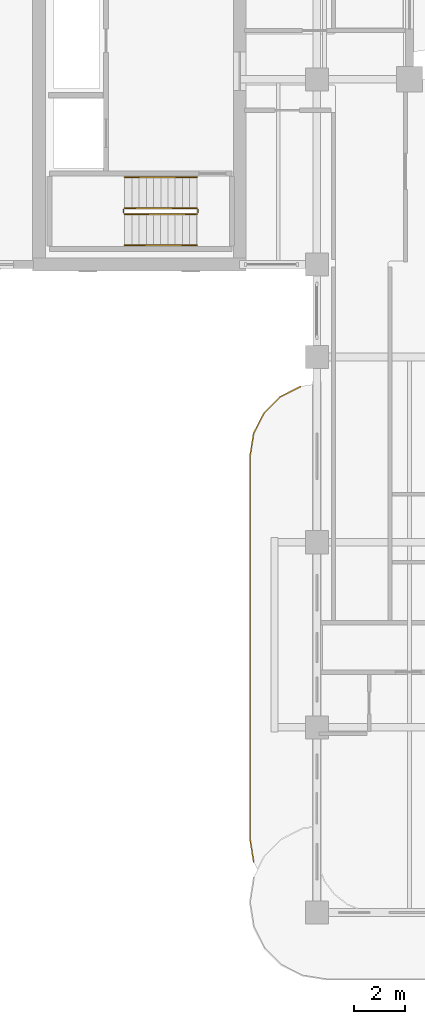
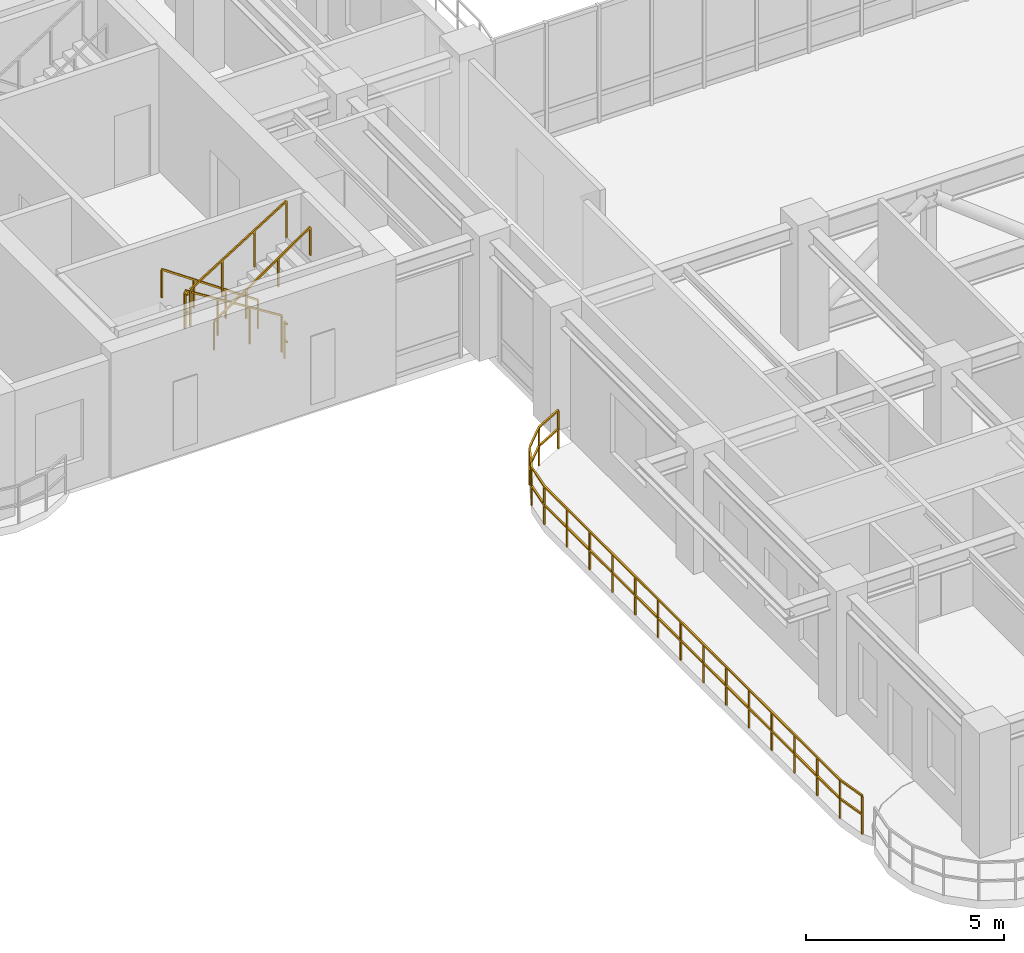
# One storey, part 15 of 19: 7 railings.
"""IFC4 building model written with IfcOpenShell, lengths in metres."""

from ifc_helpers import new_model, si_unit, derived_unit, direction, frame, origin, origin_2d, place, context, subcontext, project, spatial, rectangle, extrude, material, type_object, element, save


model = new_model("IFC4")

# Units and contexts
model_context = context("Model", 3, precision=1e-05, world=origin(), true_north=direction((0.0, 1.0)))
body_context = subcontext(model_context, "Body", "Model", "MODEL_VIEW")
ifc_project = project(units=[si_unit("LENGTHUNIT", "METRE"), si_unit("AREAUNIT", "SQUARE_METRE"), si_unit("VOLUMEUNIT", "CUBIC_METRE"), si_unit("PLANEANGLEUNIT", "RADIAN"), si_unit("MASSUNIT", "GRAM", prefix="KILO"), si_unit("THERMODYNAMICTEMPERATUREUNIT", "KELVIN"), si_unit("POWERUNIT", "WATT"), derived_unit("THERMALTRANSMITTANCEUNIT", [(si_unit("POWERUNIT", "WATT"), 1), (si_unit("AREAUNIT", "SQUARE_METRE"), -1), (si_unit("THERMODYNAMICTEMPERATUREUNIT", "KELVIN"), -1)])], contexts=[model_context])

# Site, building, storey
site_placement = place(None, origin())
site = spatial("IfcSite", under=ifc_project, at=site_placement, CompositionType="ELEMENT")
building_placement = place(site_placement, origin())
building = spatial("IfcBuilding", under=site, at=building_placement, Name="Zahravan Archway Hotel and Residences", CompositionType="ELEMENT")
storey_placement = place(building_placement, frame((0.0, 0.0, 201.89990234375)))
storey = spatial("IfcBuildingStorey", under=building, at=storey_placement, Name="L50", CompositionType="ELEMENT", Elevation=201.89990234375)

# Railings
ifc_material_1 = material(Name="Bronze & Laminated Glass Balustrade", Category="glass")
railing_type_1 = type_object("IfcRailingType", Name="RL-BAL-1200", PredefinedType="BALUSTRADE", material=ifc_material_1)
railing_1_placement = place(storey_placement, frame((11.939453125, 1.96923828125, 0.0)))
element("IfcRailing", 1, at=railing_1_placement, inside=storey, type_object=railing_type_1, Name="L50 Balustrade RL-SLB-BAL-L50-WA-1", PredefinedType="BALUSTRADE", context=body_context, shape_type="SweptSolid", body=[
    extrude(rectangle(XDim=0.048095703125, YDim=0.048095703125, at=origin_2d()), frame((0.0, 0.0, 1.17578125), z_axis=(-0.156314005608, 0.987707411965, 0.0), x_axis=(-0.987707411965, -0.156314005608, 0.0)), (0.0, 0.0, 1.0), 0.891845703125),
    extrude(rectangle(XDim=0.048095703125, YDim=0.048095703125, at=origin_2d()), frame((0.0, 0.0, 0.60009765625), z_axis=(-0.156314005608, 0.987707411965, 0.0), x_axis=(-0.987707411965, -0.156314005608, 0.0)), (0.0, 0.0, 1.0), 0.891845703125),
    extrude(rectangle(XDim=0.048095703125, YDim=0.048095703125, at=origin_2d()), frame((-0.139404296875, 0.880859375, 1.17578125), z_axis=(0.0, 1.0, 0.0), x_axis=(-1.0, 0.0, 0.0)), (0.0, 0.0, 1.0), 14.89990234375),
    extrude(rectangle(XDim=0.048095703125, YDim=0.048095703125, at=origin_2d()), frame((-0.139404296875, 0.880859375, 0.60009765625), z_axis=(0.0, 1.0, 0.0), x_axis=(-1.0, 0.0, 0.0)), (0.0, 0.0, 1.0), 14.89990234375),
    extrude(rectangle(XDim=0.048095703125, YDim=0.048095703125, at=origin_2d()), frame((-0.139404296875, 15.78076171875, 1.17578125), z_axis=(0.156356282588, 0.987700720307, 0.0), x_axis=(-0.987700720307, 0.156356282588, 0.0)), (0.0, 0.0, 1.0), 0.8916015625),
    extrude(rectangle(XDim=0.048095703125, YDim=0.048095703125, at=origin_2d()), frame((-0.139404296875, 15.78076171875, 0.60009765625), z_axis=(0.156356282588, 0.987700720307, 0.0), x_axis=(-0.987700720307, 0.156356282588, 0.0)), (0.0, 0.0, 1.0), 0.8916015625),
    extrude(rectangle(XDim=0.048095703125, YDim=0.048095703125, at=origin_2d()), frame((0.0, 16.661376953125, 1.17578125), z_axis=(0.45388067135, 0.891062476022, 0.0), x_axis=(-0.891062476022, 0.45388067135, 0.0)), (0.0, 0.0, 1.0), 0.891845703125),
    extrude(rectangle(XDim=0.048095703125, YDim=0.048095703125, at=origin_2d()), frame((0.0, 16.661376953125, 0.60009765625), z_axis=(0.45388067135, 0.891062476022, 0.0), x_axis=(-0.891062476022, 0.45388067135, 0.0)), (0.0, 0.0, 1.0), 0.891845703125),
    extrude(rectangle(XDim=0.048095703125, YDim=0.048095703125, at=origin_2d()), frame((0.40478515625, 17.4560546875, 1.17578125), z_axis=(0.70724367147, 0.706969864397, 0.0), x_axis=(-0.706969864397, 0.70724367147, 0.0)), (0.0, 0.0, 1.0), 0.8916015625),
    extrude(rectangle(XDim=0.048095703125, YDim=0.048095703125, at=origin_2d()), frame((0.40478515625, 17.4560546875, 0.60009765625), z_axis=(0.70724367147, 0.706969864397, 0.0), x_axis=(-0.706969864397, 0.70724367147, 0.0)), (0.0, 0.0, 1.0), 0.8916015625),
    extrude(rectangle(XDim=0.048095703125, YDim=0.048095703125, at=origin_2d()), frame((1.035400390625, 18.08642578125, 1.17578125), z_axis=(0.891006060389, 0.453991409995, 0.0), x_axis=(-0.453991409995, 0.891006060389, 0.0)), (0.0, 0.0, 1.0), 0.8916015625),
    extrude(rectangle(XDim=0.048095703125, YDim=0.048095703125, at=origin_2d()), frame((1.035400390625, 18.08642578125, 0.60009765625), z_axis=(0.891006060389, 0.453991409995, 0.0), x_axis=(-0.453991409995, 0.891006060389, 0.0)), (0.0, 0.0, 1.0), 0.8916015625),
    extrude(rectangle(XDim=0.0419921875, YDim=0.0419921875, at=origin_2d()), origin(), (0.0, 0.0, 1.0), 1.15185546875),
    extrude(rectangle(XDim=0.0419921875, YDim=0.0419921875, at=origin_2d()), frame((-0.139404296875, 0.880859375, 0.0)), (0.0, 0.0, 1.0), 1.15185546875),
    extrude(rectangle(XDim=0.0419921875, YDim=0.0419921875, at=origin_2d()), frame((-0.139404296875, 2.027099609375, 0.0)), (0.0, 0.0, 1.0), 1.15185546875),
    extrude(rectangle(XDim=0.0419921875, YDim=0.0419921875, at=origin_2d()), frame((-0.139404296875, 3.173095703125, 0.0)), (0.0, 0.0, 1.0), 1.15185546875),
    extrude(rectangle(XDim=0.0419921875, YDim=0.0419921875, at=origin_2d()), frame((-0.139404296875, 4.3193359375, 0.0)), (0.0, 0.0, 1.0), 1.15185546875),
    extrude(rectangle(XDim=0.0419921875, YDim=0.0419921875, at=origin_2d()), frame((-0.139404296875, 5.46533203125, 0.0)), (0.0, 0.0, 1.0), 1.15185546875),
    extrude(rectangle(XDim=0.0419921875, YDim=0.0419921875, at=origin_2d()), frame((-0.139404296875, 6.611572265625, 0.0)), (0.0, 0.0, 1.0), 1.15185546875),
    extrude(rectangle(XDim=0.0419921875, YDim=0.0419921875, at=origin_2d()), frame((-0.139404296875, 7.7578125, 0.0)), (0.0, 0.0, 1.0), 1.15185546875),
    extrude(rectangle(XDim=0.0419921875, YDim=0.0419921875, at=origin_2d()), frame((-0.139404296875, 8.90380859375, 0.0)), (0.0, 0.0, 1.0), 1.15185546875),
    extrude(rectangle(XDim=0.0419921875, YDim=0.0419921875, at=origin_2d()), frame((-0.139404296875, 10.050048828125, 0.0)), (0.0, 0.0, 1.0), 1.15185546875),
    extrude(rectangle(XDim=0.0419921875, YDim=0.0419921875, at=origin_2d()), frame((-0.139404296875, 11.1962890625, 0.0)), (0.0, 0.0, 1.0), 1.15185546875),
    extrude(rectangle(XDim=0.0419921875, YDim=0.0419921875, at=origin_2d()), frame((-0.139404296875, 12.34228515625, 0.0)), (0.0, 0.0, 1.0), 1.15185546875),
    extrude(rectangle(XDim=0.0419921875, YDim=0.0419921875, at=origin_2d()), frame((-0.139404296875, 13.488525390625, 0.0)), (0.0, 0.0, 1.0), 1.15185546875),
    extrude(rectangle(XDim=0.0419921875, YDim=0.0419921875, at=origin_2d()), frame((-0.139404296875, 14.634521484375, 0.0)), (0.0, 0.0, 1.0), 1.15185546875),
    extrude(rectangle(XDim=0.0419921875, YDim=0.0419921875, at=origin_2d()), frame((-0.139404296875, 15.78076171875, 0.0)), (0.0, 0.0, 1.0), 1.15185546875),
    extrude(rectangle(XDim=0.0419921875, YDim=0.0419921875, at=origin_2d()), frame((0.0, 16.661376953125, 0.0)), (0.0, 0.0, 1.0), 1.15185546875),
    extrude(rectangle(XDim=0.0419921875, YDim=0.0419921875, at=origin_2d()), frame((0.40478515625, 17.4560546875, 0.0)), (0.0, 0.0, 1.0), 1.15185546875),
    extrude(rectangle(XDim=0.0419921875, YDim=0.0419921875, at=origin_2d()), frame((1.035400390625, 18.08642578125, 0.0)), (0.0, 0.0, 1.0), 1.15185546875),
    extrude(rectangle(XDim=0.0419921875, YDim=0.0419921875, at=origin_2d()), frame((1.829833984375, 18.4912109375, 0.0)), (0.0, 0.0, 1.0), 1.15185546875),
])
ifc_material_2 = material(Name="Painted Tubular Steel", Category="steel")
railing_type_2 = type_object("IfcRailingType", Name="RL-STG-1150", PredefinedType="GUARDRAIL", material=ifc_material_2)
railing_2_placement = place(storey_placement, frame((9.72998046875, 27.389892578125, 0.175048828125)))
element("IfcRailing", 2, at=railing_2_placement, inside=storey, type_object=railing_type_2, Name="L50 ST-B1 stair guard 1", PredefinedType="GUARDRAIL", context=body_context, shape_type="SweptSolid", body=[
    extrude(rectangle(XDim=0.048095703125, YDim=0.048095703125, at=origin_2d()), frame((0.0, 0.0, 1.1259765625), z_axis=(-0.848002457836, 0.0, 0.529992293815), x_axis=(0.0, -1.0, 0.0)), (0.0, 0.0, 1.0), 3.302001953125),
    extrude(rectangle(XDim=0.0419921875, YDim=0.0419921875, at=origin_2d()), origin(), (0.0, 0.0, 1.0), 1.101806640625),
    extrude(rectangle(XDim=0.0419921875, YDim=0.0419921875, at=origin_2d()), frame((-0.933349609375, 0.0, 0.583251953125)), (0.0, 0.0, 1.0), 1.101806640625),
    extrude(rectangle(XDim=0.0419921875, YDim=0.0419921875, at=origin_2d()), frame((-1.86669921875, 0.0, 1.166748046875)), (0.0, 0.0, 1.0), 1.101806640625),
    extrude(rectangle(XDim=0.0419921875, YDim=0.0419921875, at=origin_2d()), frame((-2.800048828125, 0.0, 1.75)), (0.0, 0.0, 1.0), 1.101806640625),
])
railing_3_placement = place(storey_placement, frame((6.8798828125, 27.340087890625, 1.925048828125)))
element("IfcRailing", 3, at=railing_3_placement, inside=storey, type_object=railing_type_2, Name="L50 ST-B1 stair guard 2", PredefinedType="GUARDRAIL", context=body_context, shape_type="SweptSolid", body=[
    extrude(rectangle(XDim=0.048095703125, YDim=0.048095703125, at=origin_2d()), frame((0.0, 0.0, 1.1259765625), z_axis=(0.0, -1.0, 0.0), x_axis=(1.0, 0.0, 0.0)), (0.0, 0.0, 1.0), 0.14013671875),
    extrude(rectangle(XDim=0.048095703125, YDim=0.048095703125, at=origin_2d()), frame((0.0, 0.0, 0.574951171875), z_axis=(0.0, -1.0, 0.0), x_axis=(1.0, 0.0, 0.0)), (0.0, 0.0, 1.0), 0.14013671875),
    extrude(rectangle(XDim=0.0419921875, YDim=0.0419921875, at=origin_2d()), origin(), (0.0, 0.0, 1.0), 1.101806640625),
])
railing_4_placement = place(storey_placement, frame((6.929931640625, 27.14990234375, 2.10009765625)))
element("IfcRailing", 4, at=railing_4_placement, inside=storey, type_object=railing_type_2, Name="L50 ST-B1 stair guard 3", PredefinedType="GUARDRAIL", context=body_context, shape_type="SweptSolid", body=[
    extrude(rectangle(XDim=0.048095703125, YDim=0.048095703125, at=origin_2d()), frame((0.0, 0.0, 1.1259765625), z_axis=(0.848002457836, 0.0, 0.529992293815), x_axis=(0.0, 1.0, 0.0)), (0.0, 0.0, 1.0), 3.302001953125),
    extrude(rectangle(XDim=0.0419921875, YDim=0.0419921875, at=origin_2d()), origin(), (0.0, 0.0, 1.0), 1.101806640625),
    extrude(rectangle(XDim=0.0419921875, YDim=0.0419921875, at=origin_2d()), frame((0.933349609375, 0.0, 0.583251953125)), (0.0, 0.0, 1.0), 1.101806640625),
    extrude(rectangle(XDim=0.0419921875, YDim=0.0419921875, at=origin_2d()), frame((1.86669921875, 0.0, 1.166748046875)), (0.0, 0.0, 1.0), 1.101806640625),
    extrude(rectangle(XDim=0.0419921875, YDim=0.0419921875, at=origin_2d()), frame((2.800048828125, 0.0, 1.75)), (0.0, 0.0, 1.0), 1.101806640625),
])
railing_5_placement = place(storey_placement, frame((9.780029296875, 27.340087890625, 0.0)))
element("IfcRailing", 5, at=railing_5_placement, inside=storey, type_object=railing_type_2, Name="L50 ST-B1 stair guard 4", PredefinedType="GUARDRAIL", context=body_context, shape_type="SweptSolid", body=[
    extrude(rectangle(XDim=0.048095703125, YDim=0.048095703125, at=origin_2d()), frame((0.0, 0.0, 1.1259765625), z_axis=(0.0, -1.0, 0.0), x_axis=(1.0, 0.0, 0.0)), (0.0, 0.0, 1.0), 0.14013671875),
    extrude(rectangle(XDim=0.048095703125, YDim=0.048095703125, at=origin_2d()), frame((0.0, 0.0, 0.574951171875), z_axis=(0.0, -1.0, 0.0), x_axis=(1.0, 0.0, 0.0)), (0.0, 0.0, 1.0), 0.14013671875),
    extrude(rectangle(XDim=0.0419921875, YDim=0.0419921875, at=origin_2d()), origin(), (0.0, 0.0, 1.0), 1.101806640625),
])
ifc_material_3 = material(Name="Brushed Stainless Steel", Category="steel")
railing_type_3 = type_object("IfcRailingType", Name="RL-STH-900", PredefinedType="HANDRAIL", material=ifc_material_3)
railing_6_placement = place(storey_placement, frame((9.72998046875, 28.590087890625, 0.175048828125)))
element("IfcRailing", 6, at=railing_6_placement, inside=storey, type_object=railing_type_3, Name="L50 ST-B1 stair handrail 1", PredefinedType="HANDRAIL", context=body_context, shape_type="SweptSolid", body=[
    extrude(rectangle(XDim=0.048095703125, YDim=0.048095703125, at=origin_2d()), frame((0.0, 0.0, 0.8759765625), z_axis=(-0.824039827795, 0.0, 0.566531872191), x_axis=(0.0, -1.0, 0.0)), (0.0, 0.0, 1.0), 3.39794921875),
    extrude(rectangle(XDim=0.0419921875, YDim=0.0419921875, at=origin_2d()), origin(), (0.0, 0.0, 1.0), 0.851806640625),
    extrude(rectangle(XDim=0.0419921875, YDim=0.0419921875, at=origin_2d()), frame((-0.933349609375, 0.0, 0.6416015625)), (0.0, 0.0, 1.0), 0.851806640625),
    extrude(rectangle(XDim=0.0419921875, YDim=0.0419921875, at=origin_2d()), frame((-1.86669921875, 0.0, 1.283447265625)), (0.0, 0.0, 1.0), 0.851806640625),
    extrude(rectangle(XDim=0.0419921875, YDim=0.0419921875, at=origin_2d()), frame((-2.800048828125, 0.0, 1.925048828125)), (0.0, 0.0, 1.0), 0.851806640625),
])
railing_7_placement = place(storey_placement, frame((6.929931640625, 25.949951171875, 2.10009765625)))
element("IfcRailing", 7, at=railing_7_placement, inside=storey, type_object=railing_type_3, Name="L50 ST-B1 stair handrail 2", PredefinedType="HANDRAIL", context=body_context, shape_type="SweptSolid", body=[
    extrude(rectangle(XDim=0.048095703125, YDim=0.048095703125, at=origin_2d()), frame((0.0, 0.0, 0.8759765625), z_axis=(0.824039827795, 0.0, 0.566531872191), x_axis=(0.0, 1.0, 0.0)), (0.0, 0.0, 1.0), 3.39794921875),
    extrude(rectangle(XDim=0.0419921875, YDim=0.0419921875, at=origin_2d()), origin(), (0.0, 0.0, 1.0), 0.851806640625),
    extrude(rectangle(XDim=0.0419921875, YDim=0.0419921875, at=origin_2d()), frame((0.933349609375, 0.0, 0.6416015625)), (0.0, 0.0, 1.0), 0.851806640625),
    extrude(rectangle(XDim=0.0419921875, YDim=0.0419921875, at=origin_2d()), frame((1.86669921875, 0.0, 1.283447265625)), (0.0, 0.0, 1.0), 0.851806640625),
    extrude(rectangle(XDim=0.0419921875, YDim=0.0419921875, at=origin_2d()), frame((2.800048828125, 0.0, 1.925048828125)), (0.0, 0.0, 1.0), 0.851806640625),
])

save(model, "model.ifc")
